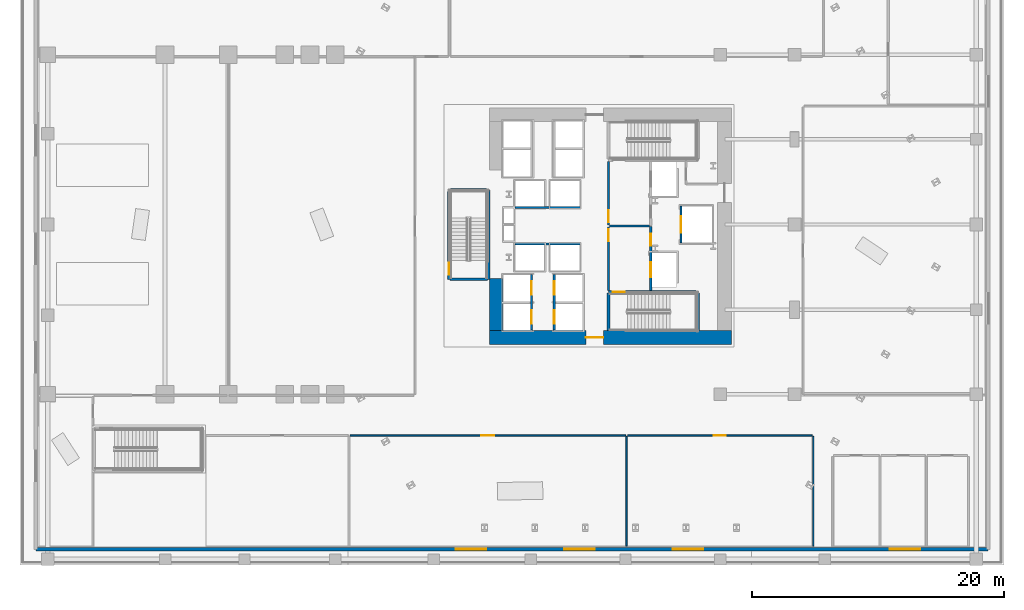
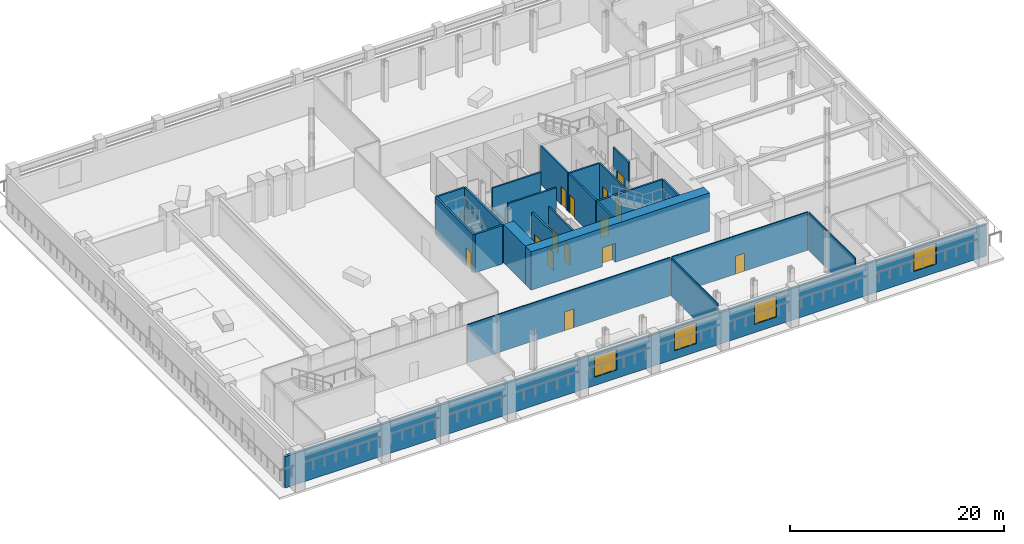
# One storey, part 4 of 18: 23 walls, 14 doors, 4 windows, 18 openings.
"""IFC4 building model written with IfcOpenShell, lengths in metres."""

from ifc_helpers import new_model, si_unit, direction, frame, frame_2d, origin, place, context, subcontext, project, spatial, rectangle, extrude, material, layer, layer_set, type_object, element, fill, save


model = new_model("IFC4")

# Units and contexts
model_context = context("Model", 3, precision=1e-05, world=origin(), true_north=direction((0.0, 1.0)))
body_context = subcontext(model_context, "Body", "Model", "MODEL_VIEW")
ifc_project = project(units=[si_unit("LENGTHUNIT", "METRE"), si_unit("AREAUNIT", "SQUARE_METRE"), si_unit("VOLUMEUNIT", "CUBIC_METRE"), si_unit("PLANEANGLEUNIT", "RADIAN"), si_unit("MASSUNIT", "GRAM", prefix="KILO")], contexts=[model_context])

# Site, building, storey
site_placement = place(None, origin())
site = spatial("IfcSite", under=ifc_project, at=site_placement, CompositionType="ELEMENT")
building_placement = place(site_placement, origin())
building = spatial("IfcBuilding", under=site, at=building_placement, Name="Valkerne Bourse Tower", CompositionType="ELEMENT")
storey_placement = place(building_placement, frame((0.0, 0.0, 10.199951171875)))
storey = spatial("IfcBuildingStorey", under=building, at=storey_placement, Name="L02", CompositionType="ELEMENT", Elevation=10.199951171875)

# Wall, opening, door
ifc_material_1 = material(Name="Concrete C70/85", Category="concrete")
ifc_layer_1 = layer(ifc_material_1, 1.10009765625)
ifc_layer_set_1 = layer_set([ifc_layer_1], Name="Concrete C70/85")
wall_type_1 = type_object("IfcWallType", Name="W-CORE-1100", PredefinedType="SHEAR", material=ifc_layer_set_1)
wall_1_placement = place(storey_placement, frame((37.199951171875, 18.050048828125, 0.0), z_axis=(0.0, 0.0, 1.0), x_axis=(1.0, 0.0, 0.0)))
wall_1 = element("IfcWall", 1, at=wall_1_placement, inside=storey, type_object=wall_type_1, Name="L02 Core Shear Wall SOUTH", PredefinedType="SHEAR", context=body_context, shape_type="SweptSolid", body=[
    extrude(rectangle(XDim=19.199951171875, YDim=1.10009765625, at=frame_2d((9.60009765625, 0.0))), origin(), (0.0, 0.0, 1.0), 4.360107421875),
])
opening_1_placement = place(wall_1_placement, frame((7.64990234375, 0.0, 0.0)))
opening_1 = element("IfcOpeningElement", 2, at=opening_1_placement, cuts=wall_1, Name="Opening D-PL-1400", PredefinedType="OPENING", context=body_context, shape_type="SweptSolid", body=[
    extrude(rectangle(XDim=1.39990234375, YDim=2.14990234375, at=frame_2d((0.699951171875, 1.074951171875))), frame((0.0, 0.56005859375, 0.0), z_axis=(0.0, -1.0, 0.0), x_axis=(1.0, 0.0, 0.0)), (0.0, 0.0, 1.0), 1.1201171875),
])
ifc_material_2 = material(Name="Galvanised Painted Steel", Category="steel")
door_type_1 = type_object("IfcDoorType", Name="DR-PLT-1400", OperationType="DOUBLE_DOOR_SINGLE_SWING", PredefinedType="DOOR", material=ifc_material_2)
door_1_placement = place(opening_1_placement, origin())
door_1 = element("IfcDoor", 3, at=door_1_placement, inside=storey, type_object=door_type_1, Name="L02 South Passenger Lift Hall Fire Door", OperationType="DOUBLE_DOOR_SINGLE_SWING", OverallHeight=2.14990234375, OverallWidth=1.39990234375, PredefinedType="DOOR", context=body_context, shape_type="SweptSolid", body=[
    extrude(rectangle(XDim=1.39990234375, YDim=2.14990234375, at=frame_2d((0.699951171875, 1.074951171875))), frame((0.0, 0.02490234375, 0.0), z_axis=(0.0, -1.0, 0.0), x_axis=(1.0, 0.0, 0.0)), (0.0, 0.0, 1.0), 0.050048828125),
])
fill(opening_1, door_1)

# Walls
wall_2_placement = place(storey_placement, frame((37.75, 18.60009765625, 0.0), z_axis=(0.0, 0.0, 1.0), x_axis=(0.0, 1.0, 0.0)))
element("IfcWall", 4, at=wall_2_placement, inside=storey, type_object=wall_type_1, Name="L02 Core Shear Wall WEST-S", PredefinedType="SHEAR", context=body_context, shape_type="SweptSolid", body=[
    extrude(rectangle(XDim=4.099853515625, YDim=1.10009765625, at=frame_2d((2.0498046875, 0.0))), origin(), (0.0, 0.0, 1.0), 4.360107421875),
])
ifc_material_3 = material(Name="Gypsum Board Steel-Stud Partition", Category="steel")
ifc_layer_2 = layer(ifc_material_3, 0.117919921875)
ifc_layer_set_2 = layer_set([ifc_layer_2], Name="Gypsum Board Steel-Stud Partition")
wall_type_2 = type_object("IfcWallType", Name="W-CORR-140", PredefinedType="PARTITIONING", material=ifc_layer_set_2)
wall_3_placement = place(storey_placement, frame((48.080078125, 1.5, 0.0), z_axis=(0.0, 0.0, 1.0), x_axis=(0.0, 1.0, 0.0)))
element("IfcWall", 5, at=wall_3_placement, inside=storey, type_object=wall_type_2, Name="L02 L02 Committee Conference Room Wall", PredefinedType="PARTITIONING", context=body_context, shape_type="SweptSolid", body=[
    extrude(rectangle(XDim=8.699951171875, YDim=0.117919921875, at=frame_2d((4.35009765625, 0.0))), origin(), (0.0, 0.0, 1.0), 4.360107421875),
])

# Wall, opening, door
wall_4_placement = place(storey_placement, frame((26.159912109375, 10.280029296875, 0.0), z_axis=(0.0, 0.0, 1.0), x_axis=(1.0, 0.0, 0.0)))
wall_4 = element("IfcWall", 6, at=wall_4_placement, inside=storey, type_object=wall_type_2, Name="L02 L02 Committee Conference Room Wall", PredefinedType="PARTITIONING", context=body_context, shape_type="SweptSolid", body=[
    extrude(rectangle(XDim=21.840087890625, YDim=0.117919921875, at=frame_2d((10.919921875, 0.0))), origin(), (0.0, 0.0, 1.0), 4.360107421875),
])
opening_2_placement = place(wall_4_placement, frame((10.419921875, 0.0, 0.0)))
opening_2 = element("IfcOpeningElement", 7, at=opening_2_placement, cuts=wall_4, Name="Opening D-MG-1000", PredefinedType="OPENING", context=body_context, shape_type="SweptSolid", body=[
    extrude(rectangle(XDim=1.0, YDim=2.14990234375, at=frame_2d((0.5, 1.074951171875))), frame((0.0, 0.06884765625, 0.0), z_axis=(0.0, -1.0, 0.0), x_axis=(1.0, 0.0, 0.0)), (0.0, 0.0, 1.0), 0.137939453125),
])
ifc_material_4 = material(Name="Laminated Tempered Safety Glass", Category="glass")
door_type_2 = type_object("IfcDoorType", Name="DR-MTG-1000", OperationType="NOTDEFINED", PredefinedType="DOOR", material=ifc_material_4)
door_2_placement = place(opening_2_placement, origin())
door_2 = element("IfcDoor", 8, at=door_2_placement, inside=storey, type_object=door_type_2, Name="L02 L02 Committee Conference Door", OperationType="SINGLE_SWING_LEFT", OverallHeight=2.14990234375, OverallWidth=1.0, PredefinedType="DOOR", context=body_context, shape_type="SweptSolid", body=[
    extrude(rectangle(XDim=1.0, YDim=2.14990234375, at=frame_2d((0.5, 1.074951171875))), frame((0.0, 0.02490234375, 0.0), z_axis=(0.0, -1.0, 0.0), x_axis=(1.0, 0.0, 0.0)), (0.0, 0.0, 1.0), 0.050048828125),
])
fill(opening_2, door_2)

# Wall
wall_5_placement = place(storey_placement, frame((62.8798828125, 1.5, 0.0), z_axis=(0.0, 0.0, 1.0), x_axis=(0.0, 1.0, 0.0)))
element("IfcWall", 9, at=wall_5_placement, inside=storey, type_object=wall_type_2, Name="L02 L02 Archive & Supplies Store Wall", PredefinedType="PARTITIONING", context=body_context, shape_type="SweptSolid", body=[
    extrude(rectangle(XDim=8.699951171875, YDim=0.117919921875, at=frame_2d((4.35009765625, 0.0))), origin(), (0.0, 0.0, 1.0), 4.360107421875),
])

# Wall, opening, door
wall_6_placement = place(storey_placement, frame((48.159912109375, 10.280029296875, 0.0), z_axis=(0.0, 0.0, 1.0), x_axis=(1.0, 0.0, 0.0)))
wall_6 = element("IfcWall", 10, at=wall_6_placement, inside=storey, type_object=wall_type_2, Name="L02 L02 Archive & Supplies Store Wall", PredefinedType="PARTITIONING", context=body_context, shape_type="SweptSolid", body=[
    extrude(rectangle(XDim=14.64013671875, YDim=0.117919921875, at=frame_2d((7.320068359375, 0.0))), origin(), (0.0, 0.0, 1.0), 4.360107421875),
])
opening_3_placement = place(wall_6_placement, frame((6.844970703125, 0.0, 0.0)))
opening_3 = element("IfcOpeningElement", 11, at=opening_3_placement, cuts=wall_6, Name="Opening D-SV-950", PredefinedType="OPENING", context=body_context, shape_type="SweptSolid", body=[
    extrude(rectangle(XDim=0.949951171875, YDim=2.050048828125, at=frame_2d((0.47509765625, 1.02490234375))), frame((0.0, 0.06884765625, 0.0), z_axis=(0.0, -1.0, 0.0), x_axis=(1.0, 0.0, 0.0)), (0.0, 0.0, 1.0), 0.137939453125),
])
door_type_3 = type_object("IfcDoorType", Name="DR-SRV-950", OperationType="NOTDEFINED", PredefinedType="DOOR", material=ifc_material_2)
door_3_placement = place(opening_3_placement, origin())
door_3 = element("IfcDoor", 12, at=door_3_placement, inside=storey, type_object=door_type_3, Name="L02 L02 Archive Store Door", OperationType="SINGLE_SWING_LEFT", OverallHeight=2.050048828125, OverallWidth=0.949951171875, PredefinedType="DOOR", context=body_context, shape_type="SweptSolid", body=[
    extrude(rectangle(XDim=0.949951171875, YDim=2.050048828125, at=frame_2d((0.47509765625, 1.02490234375))), frame((0.0, 0.02490234375, 0.0), z_axis=(0.0, -1.0, 0.0), x_axis=(1.0, 0.0, 0.0)), (0.0, 0.0, 1.0), 0.050048828125),
])
fill(opening_3, door_3)

# Wall, openings, windows
ifc_material_5 = material(Name="Bronze Anodised Aluminium AA 6063-T6", Category="aluminium")
ifc_layer_3 = layer(ifc_material_5, 0.300048828125)
ifc_layer_set_3 = layer_set([ifc_layer_3], Name="Bronze Anodised Aluminium AA 6063-T6")
wall_type_3 = type_object("IfcWallType", Name="W-EXT-ALUM-300", PredefinedType="STANDARD", material=ifc_layer_set_3)
wall_7_placement = place(storey_placement, frame((76.75, 1.25, 0.0), z_axis=(0.0, 0.0, 1.0), x_axis=(-1.0, 0.0, 0.0)))
wall_7 = element("IfcWall", 13, at=wall_7_placement, inside=storey, type_object=wall_type_3, Name="L02 Podium Exterior Wall SOUTH", PredefinedType="STANDARD", context=body_context, shape_type="SweptSolid", body=[
    extrude(rectangle(XDim=75.5, YDim=0.300048828125, at=frame_2d((37.75, 0.0))), origin(), (0.0, 0.0, 1.0), 3.569091796875),
])
opening_4_placement = place(wall_7_placement, frame((5.39990234375, 0.0, 0.949951171875)))
opening_4 = element("IfcOpeningElement", 14, at=opening_4_placement, cuts=wall_7, Name="Opening WN-02", PredefinedType="OPENING", context=body_context, shape_type="SweptSolid", body=[
    extrude(rectangle(XDim=2.39990234375, YDim=2.39990234375, at=frame_2d((1.199951171875, 1.199951171875))), frame((0.0, 0.159912109375, 0.0), z_axis=(0.0, -1.0, 0.0), x_axis=(1.0, 0.0, 0.0)), (0.0, 0.0, 1.0), 0.320068359375),
])
opening_5_placement = place(wall_7_placement, frame((22.60009765625, 0.0, 0.949951171875)))
opening_5 = element("IfcOpeningElement", 15, at=opening_5_placement, cuts=wall_7, Name="Opening WN-02", PredefinedType="OPENING", context=body_context, shape_type="SweptSolid", body=[
    extrude(rectangle(XDim=2.39990234375, YDim=2.39990234375, at=frame_2d((1.199951171875, 1.199951171875))), frame((0.0, 0.159912109375, 0.0), z_axis=(0.0, -1.0, 0.0), x_axis=(1.0, 0.0, 0.0)), (0.0, 0.0, 1.0), 0.320068359375),
])
opening_6_placement = place(wall_7_placement, frame((31.199951171875, 0.0, 0.949951171875)))
opening_6 = element("IfcOpeningElement", 16, at=opening_6_placement, cuts=wall_7, Name="Opening WN-02", PredefinedType="OPENING", context=body_context, shape_type="SweptSolid", body=[
    extrude(rectangle(XDim=2.39990234375, YDim=2.39990234375, at=frame_2d((1.199951171875, 1.199951171875))), frame((0.0, 0.159912109375, 0.0), z_axis=(0.0, -1.0, 0.0), x_axis=(1.0, 0.0, 0.0)), (0.0, 0.0, 1.0), 0.320068359375),
])
opening_7_placement = place(wall_7_placement, frame((39.800048828125, 0.0, 0.949951171875)))
opening_7 = element("IfcOpeningElement", 17, at=opening_7_placement, cuts=wall_7, Name="Opening WN-02", PredefinedType="OPENING", context=body_context, shape_type="SweptSolid", body=[
    extrude(rectangle(XDim=2.39990234375, YDim=2.39990234375, at=frame_2d((1.199951171875, 1.199951171875))), frame((0.0, 0.159912109375, 0.0), z_axis=(0.0, -1.0, 0.0), x_axis=(1.0, 0.0, 0.0)), (0.0, 0.0, 1.0), 0.320068359375),
])
ifc_material_6 = material(Name="Glass IGU Low-E Double Glazed", Category="glass")
window_type = type_object("IfcWindowType", Name="WIN-POD-2400X2400", PartitioningType="SINGLE_PANEL", PredefinedType="WINDOW", material=ifc_material_6)
window_1_placement = place(opening_4_placement, origin())
window_1 = element("IfcWindow", 18, at=window_1_placement, inside=storey, type_object=window_type, Name="L02 Podium Low-E Window 12", OverallHeight=2.39990234375, OverallWidth=2.39990234375, PartitioningType="SINGLE_PANEL", PredefinedType="WINDOW", context=body_context, shape_type="SweptSolid", body=[
    extrude(rectangle(XDim=2.39990234375, YDim=2.39990234375, at=frame_2d((1.199951171875, 1.199951171875))), frame((0.0, 0.030029296875, 0.0), z_axis=(0.0, -1.0, 0.0), x_axis=(1.0, 0.0, 0.0)), (0.0, 0.0, 1.0), 0.06005859375),
])
fill(opening_4, window_1)
window_2_placement = place(opening_5_placement, origin())
window_2 = element("IfcWindow", 19, at=window_2_placement, inside=storey, type_object=window_type, Name="L02 Podium Low-E Window 13", OverallHeight=2.39990234375, OverallWidth=2.39990234375, PartitioningType="SINGLE_PANEL", PredefinedType="WINDOW", context=body_context, shape_type="SweptSolid", body=[
    extrude(rectangle(XDim=2.39990234375, YDim=2.39990234375, at=frame_2d((1.199951171875, 1.199951171875))), frame((0.0, 0.030029296875, 0.0), z_axis=(0.0, -1.0, 0.0), x_axis=(1.0, 0.0, 0.0)), (0.0, 0.0, 1.0), 0.06005859375),
])
fill(opening_5, window_2)
window_3_placement = place(opening_6_placement, origin())
window_3 = element("IfcWindow", 20, at=window_3_placement, inside=storey, type_object=window_type, Name="L02 Podium Low-E Window 14", OverallHeight=2.39990234375, OverallWidth=2.39990234375, PartitioningType="SINGLE_PANEL", PredefinedType="WINDOW", context=body_context, shape_type="SweptSolid", body=[
    extrude(rectangle(XDim=2.39990234375, YDim=2.39990234375, at=frame_2d((1.199951171875, 1.199951171875))), frame((0.0, 0.030029296875, 0.0), z_axis=(0.0, -1.0, 0.0), x_axis=(1.0, 0.0, 0.0)), (0.0, 0.0, 1.0), 0.06005859375),
])
fill(opening_6, window_3)
window_4_placement = place(opening_7_placement, origin())
window_4 = element("IfcWindow", 21, at=window_4_placement, inside=storey, type_object=window_type, Name="L02 Podium Low-E Window 15", OverallHeight=2.39990234375, OverallWidth=2.39990234375, PartitioningType="SINGLE_PANEL", PredefinedType="WINDOW", context=body_context, shape_type="SweptSolid", body=[
    extrude(rectangle(XDim=2.39990234375, YDim=2.39990234375, at=frame_2d((1.199951171875, 1.199951171875))), frame((0.0, 0.030029296875, 0.0), z_axis=(0.0, -1.0, 0.0), x_axis=(1.0, 0.0, 0.0)), (0.0, 0.0, 1.0), 0.06005859375),
])
fill(opening_7, window_4)

# Wall
ifc_material_7 = material(Name="Gypsum Fire-Rated Shaftwall", Category="gypsum")
ifc_layer_4 = layer(ifc_material_7, 0.179931640625)
ifc_layer_set_4 = layer_set([ifc_layer_4], Name="Gypsum Fire-Rated Shaftwall")
wall_type_4 = type_object("IfcWallType", Name="W-FSAE-180", PredefinedType="PARTITIONING", material=ifc_layer_set_4)
wall_8_placement = place(storey_placement, frame((46.739990234375, 26.8798828125, 0.0), z_axis=(0.0, 0.0, 1.0), x_axis=(1.0, 0.0, 0.0)))
element("IfcWall", 22, at=wall_8_placement, inside=storey, type_object=wall_type_4, Name="L02 FSAE-1/2 Lobby Dividing Fire Wall", PredefinedType="PARTITIONING", context=body_context, shape_type="SweptSolid", body=[
    extrude(rectangle(XDim=3.169921875, YDim=0.179931640625, at=frame_2d((1.5849609375, 0.0))), origin(), (0.0, 0.0, 1.0), 4.360107421875),
])

# Wall, opening, door
wall_9_placement = place(storey_placement, frame((46.64990234375, 21.75, 0.0), z_axis=(0.0, 0.0, 1.0), x_axis=(0.0, 1.0, 0.0)))
wall_9 = element("IfcWall", 23, at=wall_9_placement, inside=storey, type_object=wall_type_4, Name="L02 FSAE-1 Lobby West Fire Wall", PredefinedType="PARTITIONING", context=body_context, shape_type="SweptSolid", body=[
    extrude(rectangle(XDim=5.050048828125, YDim=0.179931640625, at=frame_2d((2.52490234375, 0.0))), origin(), (0.0, 0.0, 1.0), 4.360107421875),
])
opening_8_placement = place(wall_9_placement, frame((3.919921875, 0.0, 0.0)))
opening_8 = element("IfcOpeningElement", 24, at=opening_8_placement, cuts=wall_9, Name="Opening D-FS-950", PredefinedType="OPENING", context=body_context, shape_type="SweptSolid", body=[
    extrude(rectangle(XDim=0.949951171875, YDim=2.10009765625, at=frame_2d((0.47509765625, 1.050048828125))), frame((0.0, 0.099853515625, 0.0), z_axis=(0.0, -1.0, 0.0), x_axis=(1.0, 0.0, 0.0)), (0.0, 0.0, 1.0), 0.199951171875),
])
door_type_4 = type_object("IfcDoorType", Name="DR-FSAE-950", OperationType="NOTDEFINED", PredefinedType="DOOR", material=ifc_material_2)
door_4_placement = place(opening_8_placement, origin())
door_4 = element("IfcDoor", 25, at=door_4_placement, inside=storey, type_object=door_type_4, Name="L02 FSAE-1 Hall Link Fire Door", OperationType="SINGLE_SWING_RIGHT", OverallHeight=2.10009765625, OverallWidth=0.949951171875, PredefinedType="DOOR", context=body_context, shape_type="SweptSolid", body=[
    extrude(rectangle(XDim=0.949951171875, YDim=2.10009765625, at=frame_2d((0.47509765625, 1.050048828125))), frame((0.0, 0.02490234375, 0.0), z_axis=(0.0, -1.0, 0.0), x_axis=(1.0, 0.0, 0.0)), (0.0, 0.0, 1.0), 0.050048828125),
])
fill(opening_8, door_4)

wall_10_placement = place(storey_placement, frame((46.64990234375, 26.9599609375, 0.0), z_axis=(0.0, 0.0, 1.0), x_axis=(0.0, 1.0, 0.0)))
wall_10 = element("IfcWall", 26, at=wall_10_placement, inside=storey, type_object=wall_type_4, Name="L02 FSAE-2 Lobby West Fire Wall", PredefinedType="PARTITIONING", context=body_context, shape_type="SweptSolid", body=[
    extrude(rectangle(XDim=5.0400390625, YDim=0.179931640625, at=frame_2d((2.52001953125, 0.0))), origin(), (0.0, 0.0, 1.0), 4.360107421875),
])
opening_9_placement = place(wall_10_placement, frame((0.219970703125, 0.0, 0.0)))
opening_9 = element("IfcOpeningElement", 27, at=opening_9_placement, cuts=wall_10, Name="Opening D-FS-950", PredefinedType="OPENING", context=body_context, shape_type="SweptSolid", body=[
    extrude(rectangle(XDim=0.949951171875, YDim=2.10009765625, at=frame_2d((0.47509765625, 1.050048828125))), frame((0.0, 0.099853515625, 0.0), z_axis=(0.0, -1.0, 0.0), x_axis=(1.0, 0.0, 0.0)), (0.0, 0.0, 1.0), 0.199951171875),
])
door_5_placement = place(opening_9_placement, origin())
door_5 = element("IfcDoor", 28, at=door_5_placement, inside=storey, type_object=door_type_4, Name="L02 FSAE-2 Hall Link Fire Door", OperationType="SINGLE_SWING_RIGHT", OverallHeight=2.10009765625, OverallWidth=0.949951171875, PredefinedType="DOOR", context=body_context, shape_type="SweptSolid", body=[
    extrude(rectangle(XDim=0.949951171875, YDim=2.10009765625, at=frame_2d((0.47509765625, 1.050048828125))), frame((0.0, 0.02490234375, 0.0), z_axis=(0.0, -1.0, 0.0), x_axis=(1.0, 0.0, 0.0)), (0.0, 0.0, 1.0), 0.050048828125),
])
fill(opening_9, door_5)

# Wall, openings, doors
wall_11_placement = place(storey_placement, frame((50.0, 21.75, 0.0), z_axis=(0.0, 0.0, 1.0), x_axis=(0.0, 1.0, 0.0)))
wall_11 = element("IfcWall", 29, at=wall_11_placement, inside=storey, type_object=wall_type_4, Name="L02 FSAE-1 Lobby & Shaft Front Wall", PredefinedType="PARTITIONING", context=body_context, shape_type="SweptSolid", body=[
    extrude(rectangle(XDim=5.090087890625, YDim=0.179931640625, at=frame_2d((2.544921875, 0.0))), origin(), (0.0, 0.0, 1.0), 4.360107421875),
])
opening_10_placement = place(wall_11_placement, frame((1.050048828125, 0.0, 0.0)))
opening_10 = element("IfcOpeningElement", 30, at=opening_10_placement, cuts=wall_11, Name="Opening LD-1200", PredefinedType="OPENING", context=body_context, shape_type="SweptSolid", body=[
    extrude(rectangle(XDim=1.199951171875, YDim=2.14990234375, at=frame_2d((0.60009765625, 1.074951171875))), frame((0.0, 0.099853515625, 0.0), z_axis=(0.0, -1.0, 0.0), x_axis=(1.0, 0.0, 0.0)), (0.0, 0.0, 1.0), 0.199951171875),
])
opening_11_placement = place(wall_11_placement, frame((3.550048828125, 0.0, 0.0)))
opening_11 = element("IfcOpeningElement", 31, at=opening_11_placement, cuts=wall_11, Name="Opening D-FS-950", PredefinedType="OPENING", context=body_context, shape_type="SweptSolid", body=[
    extrude(rectangle(XDim=0.949951171875, YDim=2.10009765625, at=frame_2d((0.47509765625, 1.050048828125))), frame((0.0, 0.099853515625, 0.0), z_axis=(0.0, -1.0, 0.0), x_axis=(1.0, 0.0, 0.0)), (0.0, 0.0, 1.0), 0.199951171875),
])
door_6_placement = place(opening_11_placement, origin())
door_6 = element("IfcDoor", 32, at=door_6_placement, inside=storey, type_object=door_type_4, Name="L02 FSAE-1 Lobby Corridor Fire Door", OperationType="SINGLE_SWING_RIGHT", OverallHeight=2.10009765625, OverallWidth=0.949951171875, PredefinedType="DOOR", context=body_context, shape_type="SweptSolid", body=[
    extrude(rectangle(XDim=0.949951171875, YDim=2.10009765625, at=frame_2d((0.47509765625, 1.050048828125))), frame((0.0, 0.02490234375, 0.0), z_axis=(0.0, -1.0, 0.0), x_axis=(1.0, 0.0, 0.0)), (0.0, 0.0, 1.0), 0.050048828125),
])
fill(opening_11, door_6)
ifc_material_8 = material(Name="Stainless Steel AISI 316", Category="steel")
door_type_5 = type_object("IfcDoorType", Name="DR-LIFT-1200", OperationType="DOUBLE_DOOR_SLIDING", PredefinedType="DOOR", material=ifc_material_8)
door_7_placement = place(opening_10_placement, origin())
door_7 = element("IfcDoor", 33, at=door_7_placement, inside=storey, type_object=door_type_5, Name="L02 FSAE-1 Firefighting Lift Landing Door", OperationType="DOUBLE_DOOR_SLIDING", OverallHeight=2.14990234375, OverallWidth=1.199951171875, PredefinedType="DOOR", context=body_context, shape_type="SweptSolid", body=[
    extrude(rectangle(XDim=1.199951171875, YDim=2.14990234375, at=frame_2d((0.60009765625, 1.074951171875))), frame((0.0, 0.02490234375, 0.0), z_axis=(0.0, -1.0, 0.0), x_axis=(1.0, 0.0, 0.0)), (0.0, 0.0, 1.0), 0.050048828125),
])
fill(opening_10, door_7)

# Wall, opening, door
ifc_material_9 = material(Name="CMU Blockwork Masonry 200mm", Category="masonry")
ifc_layer_5 = layer(ifc_material_9, 0.179931640625)
ifc_layer_set_5 = layer_set([ifc_layer_5], Name="CMU Blockwork Masonry 200mm")
wall_type_5 = type_object("IfcWallType", Name="W-LFT-180", PredefinedType="SOLIDWALL", material=ifc_layer_set_5)
wall_12_placement = place(storey_placement, frame((52.39990234375, 25.550048828125, 0.0), z_axis=(0.0, 0.0, 1.0), x_axis=(0.0, 1.0, 0.0)))
wall_12 = element("IfcWall", 34, at=wall_12_placement, inside=storey, type_object=wall_type_5, Name="L02 Service Lift SV-1 Front Wall", PredefinedType="SOLIDWALL", context=body_context, shape_type="SweptSolid", body=[
    extrude(rectangle(XDim=2.89990234375, YDim=0.179931640625, at=frame_2d((1.449951171875, 0.0))), origin(), (0.0, 0.0, 1.0), 4.360107421875),
])
opening_12_placement = place(wall_12_placement, frame((0.800048828125, 0.0, 0.0)))
opening_12 = element("IfcOpeningElement", 35, at=opening_12_placement, cuts=wall_12, Name="Opening LD-1300", PredefinedType="OPENING", context=body_context, shape_type="SweptSolid", body=[
    extrude(rectangle(XDim=1.300048828125, YDim=2.14990234375, at=frame_2d((0.64990234375, 1.074951171875))), frame((0.0, 0.099853515625, 0.0), z_axis=(0.0, -1.0, 0.0), x_axis=(1.0, 0.0, 0.0)), (0.0, 0.0, 1.0), 0.199951171875),
])
door_type_6 = type_object("IfcDoorType", Name="DR-LIFT-1300", OperationType="DOUBLE_DOOR_SLIDING", PredefinedType="DOOR", material=ifc_material_8)
door_8_placement = place(opening_12_placement, origin())
door_8 = element("IfcDoor", 36, at=door_8_placement, inside=storey, type_object=door_type_6, Name="L02 Service Lift SV-1 Landing Door", OperationType="DOUBLE_DOOR_SLIDING", OverallHeight=2.14990234375, OverallWidth=1.300048828125, PredefinedType="DOOR", context=body_context, shape_type="SweptSolid", body=[
    extrude(rectangle(XDim=1.300048828125, YDim=2.14990234375, at=frame_2d((0.64990234375, 1.074951171875))), frame((0.0, 0.02490234375, 0.0), z_axis=(0.0, -1.0, 0.0), x_axis=(1.0, 0.0, 0.0)), (0.0, 0.0, 1.0), 0.050048828125),
])
fill(opening_12, door_8)

# Wall, openings, doors
wall_13_placement = place(storey_placement, frame((40.550048828125, 18.6201171875, 0.0), z_axis=(0.0, 0.0, 1.0), x_axis=(0.0, 1.0, 0.0)))
wall_13 = element("IfcWall", 37, at=wall_13_placement, inside=storey, type_object=wall_type_5, Name="L02 Low-Zone West Cars Front Wall", PredefinedType="SOLIDWALL", context=body_context, shape_type="SweptSolid", body=[
    extrude(rectangle(XDim=4.429931640625, YDim=0.179931640625, at=frame_2d((2.21484375, 0.0))), origin(), (0.0, 0.0, 1.0), 4.360107421875),
])
opening_13_placement = place(wall_13_placement, frame((0.5, 0.0, 0.0)))
opening_13 = element("IfcOpeningElement", 38, at=opening_13_placement, cuts=wall_13, Name="Opening LD-1100", PredefinedType="OPENING", context=body_context, shape_type="SweptSolid", body=[
    extrude(rectangle(XDim=1.10009765625, YDim=2.14990234375, at=frame_2d((0.550048828125, 1.074951171875))), frame((0.0, 0.099853515625, 0.0), z_axis=(0.0, -1.0, 0.0), x_axis=(1.0, 0.0, 0.0)), (0.0, 0.0, 1.0), 0.199951171875),
])
opening_14_placement = place(wall_13_placement, frame((2.800048828125, 0.0, 0.0)))
opening_14 = element("IfcOpeningElement", 39, at=opening_14_placement, cuts=wall_13, Name="Opening LD-1100", PredefinedType="OPENING", context=body_context, shape_type="SweptSolid", body=[
    extrude(rectangle(XDim=1.10009765625, YDim=2.14990234375, at=frame_2d((0.550048828125, 1.074951171875))), frame((0.0, 0.099853515625, 0.0), z_axis=(0.0, -1.0, 0.0), x_axis=(1.0, 0.0, 0.0)), (0.0, 0.0, 1.0), 0.199951171875),
])
door_type_7 = type_object("IfcDoorType", Name="DR-LIFT-1100", OperationType="DOUBLE_DOOR_SLIDING", PredefinedType="DOOR", material=ifc_material_8)
door_9_placement = place(opening_13_placement, origin())
door_9 = element("IfcDoor", 40, at=door_9_placement, inside=storey, type_object=door_type_7, Name="L02 Passenger Lift PL-L1 Sliding Landing Door", OperationType="DOUBLE_DOOR_SLIDING", OverallHeight=2.14990234375, OverallWidth=1.10009765625, PredefinedType="DOOR", context=body_context, shape_type="SweptSolid", body=[
    extrude(rectangle(XDim=1.10009765625, YDim=2.14990234375, at=frame_2d((0.550048828125, 1.074951171875))), frame((0.0, 0.02490234375, 0.0), z_axis=(0.0, -1.0, 0.0), x_axis=(1.0, 0.0, 0.0)), (0.0, 0.0, 1.0), 0.050048828125),
])
fill(opening_13, door_9)
door_10_placement = place(opening_14_placement, origin())
door_10 = element("IfcDoor", 41, at=door_10_placement, inside=storey, type_object=door_type_7, Name="L02 Passenger Lift PL-L2 Sliding Landing Door", OperationType="DOUBLE_DOOR_SLIDING", OverallHeight=2.14990234375, OverallWidth=1.10009765625, PredefinedType="DOOR", context=body_context, shape_type="SweptSolid", body=[
    extrude(rectangle(XDim=1.10009765625, YDim=2.14990234375, at=frame_2d((0.550048828125, 1.074951171875))), frame((0.0, 0.02490234375, 0.0), z_axis=(0.0, -1.0, 0.0), x_axis=(1.0, 0.0, 0.0)), (0.0, 0.0, 1.0), 0.050048828125),
])
fill(opening_14, door_10)

wall_14_placement = place(storey_placement, frame((42.35009765625, 18.6201171875, 0.0), z_axis=(0.0, 0.0, 1.0), x_axis=(0.0, 1.0, 0.0)))
wall_14 = element("IfcWall", 42, at=wall_14_placement, inside=storey, type_object=wall_type_5, Name="L02 Low-Zone East Cars Front Wall", PredefinedType="SOLIDWALL", context=body_context, shape_type="SweptSolid", body=[
    extrude(rectangle(XDim=4.429931640625, YDim=0.179931640625, at=frame_2d((2.21484375, 0.0))), origin(), (0.0, 0.0, 1.0), 4.360107421875),
])
opening_15_placement = place(wall_14_placement, frame((0.5, 0.0, 0.0)))
opening_15 = element("IfcOpeningElement", 43, at=opening_15_placement, cuts=wall_14, Name="Opening LD-1100", PredefinedType="OPENING", context=body_context, shape_type="SweptSolid", body=[
    extrude(rectangle(XDim=1.10009765625, YDim=2.14990234375, at=frame_2d((0.550048828125, 1.074951171875))), frame((0.0, 0.099853515625, 0.0), z_axis=(0.0, -1.0, 0.0), x_axis=(1.0, 0.0, 0.0)), (0.0, 0.0, 1.0), 0.199951171875),
])
opening_16_placement = place(wall_14_placement, frame((2.800048828125, 0.0, 0.0)))
opening_16 = element("IfcOpeningElement", 44, at=opening_16_placement, cuts=wall_14, Name="Opening LD-1100", PredefinedType="OPENING", context=body_context, shape_type="SweptSolid", body=[
    extrude(rectangle(XDim=1.10009765625, YDim=2.14990234375, at=frame_2d((0.550048828125, 1.074951171875))), frame((0.0, 0.099853515625, 0.0), z_axis=(0.0, -1.0, 0.0), x_axis=(1.0, 0.0, 0.0)), (0.0, 0.0, 1.0), 0.199951171875),
])
door_11_placement = place(opening_15_placement, origin())
door_11 = element("IfcDoor", 45, at=door_11_placement, inside=storey, type_object=door_type_7, Name="L02 Passenger Lift PL-L3 Sliding Landing Door", OperationType="DOUBLE_DOOR_SLIDING", OverallHeight=2.14990234375, OverallWidth=1.10009765625, PredefinedType="DOOR", context=body_context, shape_type="SweptSolid", body=[
    extrude(rectangle(XDim=1.10009765625, YDim=2.14990234375, at=frame_2d((0.550048828125, 1.074951171875))), frame((0.0, 0.02490234375, 0.0), z_axis=(0.0, -1.0, 0.0), x_axis=(1.0, 0.0, 0.0)), (0.0, 0.0, 1.0), 0.050048828125),
])
fill(opening_15, door_11)
door_12_placement = place(opening_16_placement, origin())
door_12 = element("IfcDoor", 46, at=door_12_placement, inside=storey, type_object=door_type_7, Name="L02 Passenger Lift PL-L4 Sliding Landing Door", OperationType="DOUBLE_DOOR_SLIDING", OverallHeight=2.14990234375, OverallWidth=1.10009765625, PredefinedType="DOOR", context=body_context, shape_type="SweptSolid", body=[
    extrude(rectangle(XDim=1.10009765625, YDim=2.14990234375, at=frame_2d((0.550048828125, 1.074951171875))), frame((0.0, 0.02490234375, 0.0), z_axis=(0.0, -1.0, 0.0), x_axis=(1.0, 0.0, 0.0)), (0.0, 0.0, 1.0), 0.050048828125),
])
fill(opening_16, door_12)

# Walls
for number, where, z_axis, x_axis, name in (
    (47, (39.25, 25.449951171875, 0.0), (0.0, 0.0, 1.0), (1.0, 0.0, 0.0), "L02 High-Zone South Cars Front Wall"),
    (48, (39.25, 28.35009765625, 0.0), (0.0, 0.0, 1.0), (1.0, 0.0, 0.0), "L02 High-Zone North Cars Front Wall"),
):
    element("IfcWall", number, at=place(storey_placement, frame(where, z_axis=z_axis, x_axis=x_axis)), inside=storey, type_object=wall_type_5, Name=name, PredefinedType="SOLIDWALL", context=body_context, shape_type="SweptSolid", body=[
        extrude(rectangle(XDim=5.199951171875, YDim=0.179931640625, at=frame_2d((2.60009765625, 0.0))), origin(), (0.0, 0.0, 1.0), 4.360107421875),
    ])

# Wall, opening, door
ifc_material_10 = material(Name="Concrete C40/50", Category="concrete")
ifc_layer_6 = layer(ifc_material_10, 0.199951171875)
ifc_layer_set_6 = layer_set([ifc_layer_6], Name="Concrete C40/50")
wall_type_6 = type_object("IfcWallType", Name="W-SHF-200", PredefinedType="SHEAR", material=ifc_layer_set_6)
wall_15_placement = place(storey_placement, frame((46.64990234375, 21.64990234375, 0.0), z_axis=(0.0, 0.0, 1.0), x_axis=(1.0, 0.0, 0.0)))
wall_15 = element("IfcWall", 49, at=wall_15_placement, inside=storey, type_object=wall_type_6, Name="L02 Exit Stair ST-1 Structural Shaft Wall North", PredefinedType="SHEAR", context=body_context, shape_type="SweptSolid", body=[
    extrude(rectangle(XDim=7.10009765625, YDim=0.199951171875, at=frame_2d((3.550048828125, 0.0))), origin(), (0.0, 0.0, 1.0), 4.360107421875),
])
opening_17_placement = place(wall_15_placement, frame((0.35009765625, 0.0, 0.0)))
opening_17 = element("IfcOpeningElement", 50, at=opening_17_placement, cuts=wall_15, Name="Opening D-ST-950", PredefinedType="OPENING", context=body_context, shape_type="SweptSolid", body=[
    extrude(rectangle(XDim=0.949951171875, YDim=2.10009765625, at=frame_2d((0.47509765625, 1.050048828125))), frame((0.0, 0.10986328125, 0.0), z_axis=(0.0, -1.0, 0.0), x_axis=(1.0, 0.0, 0.0)), (0.0, 0.0, 1.0), 0.219970703125),
])
door_type_8 = type_object("IfcDoorType", Name="DR-STAIR-950", OperationType="NOTDEFINED", PredefinedType="DOOR", material=ifc_material_2)
door_13_placement = place(opening_17_placement, origin())
door_13 = element("IfcDoor", 51, at=door_13_placement, inside=storey, type_object=door_type_8, Name="L02 Exit Stair ST-1 Door", OperationType="SINGLE_SWING_LEFT", OverallHeight=2.10009765625, OverallWidth=0.949951171875, PredefinedType="DOOR", context=body_context, shape_type="SweptSolid", body=[
    extrude(rectangle(XDim=0.949951171875, YDim=2.10009765625, at=frame_2d((0.47509765625, 1.050048828125))), frame((0.0, 0.02490234375, 0.0), z_axis=(0.0, -1.0, 0.0), x_axis=(1.0, 0.0, 0.0)), (0.0, 0.0, 1.0), 0.050048828125),
])
fill(opening_17, door_13)

# Walls
for number, where, z_axis, x_axis, name in (
    (52, (46.64990234375, 18.60009765625, 0.0), (0.0, 0.0, 1.0), (0.0, 1.0, 0.0), "L02 Exit Stair ST-1 Structural Shaft Wall West"),
    (53, (53.75, 18.60009765625, 0.0), (0.0, 0.0, 1.0), (0.0, 1.0, 0.0), "L02 Exit Stair ST-1 Structural Shaft Wall East"),
):
    element("IfcWall", number, at=place(storey_placement, frame(where, z_axis=z_axis, x_axis=x_axis)), inside=storey, type_object=wall_type_6, Name=name, PredefinedType="SHEAR", context=body_context, shape_type="SweptSolid", body=[
        extrude(rectangle(XDim=2.949951171875, YDim=0.199951171875, at=frame_2d((1.47509765625, 0.0))), origin(), (0.0, 0.0, 1.0), 4.360107421875),
    ])

# Wall, opening, door
wall_16_placement = place(storey_placement, frame((34.0, 22.64990234375, 0.0), z_axis=(0.0, 0.0, 1.0), x_axis=(0.0, 1.0, 0.0)))
wall_16 = element("IfcWall", 54, at=wall_16_placement, inside=storey, type_object=wall_type_6, Name="L02 Exit Stair ST-3 Structural Shaft Wall West", PredefinedType="SHEAR", context=body_context, shape_type="SweptSolid", body=[
    extrude(rectangle(XDim=7.10009765625, YDim=0.199951171875, at=frame_2d((3.550048828125, 0.0))), origin(), (0.0, 0.0, 1.0), 4.360107421875),
])
opening_18_placement = place(wall_16_placement, frame((0.35009765625, 0.0, 0.0)))
opening_18 = element("IfcOpeningElement", 55, at=opening_18_placement, cuts=wall_16, Name="Opening D-ST-950", PredefinedType="OPENING", context=body_context, shape_type="SweptSolid", body=[
    extrude(rectangle(XDim=0.949951171875, YDim=2.10009765625, at=frame_2d((0.47509765625, 1.050048828125))), frame((0.0, 0.10986328125, 0.0), z_axis=(0.0, -1.0, 0.0), x_axis=(1.0, 0.0, 0.0)), (0.0, 0.0, 1.0), 0.219970703125),
])
door_14_placement = place(opening_18_placement, origin())
door_14 = element("IfcDoor", 56, at=door_14_placement, inside=storey, type_object=door_type_8, Name="L02 Exit Stair ST-3 Door", OperationType="SINGLE_SWING_LEFT", OverallHeight=2.10009765625, OverallWidth=0.949951171875, PredefinedType="DOOR", context=body_context, shape_type="SweptSolid", body=[
    extrude(rectangle(XDim=0.949951171875, YDim=2.10009765625, at=frame_2d((0.47509765625, 1.050048828125))), frame((0.0, 0.02490234375, 0.0), z_axis=(0.0, -1.0, 0.0), x_axis=(1.0, 0.0, 0.0)), (0.0, 0.0, 1.0), 0.050048828125),
])
fill(opening_18, door_14)

# Walls
for number, where, z_axis, x_axis, name in (
    (57, (34.10009765625, 22.64990234375, 0.0), (0.0, 0.0, 1.0), (1.0, 0.0, 0.0), "L02 Exit Stair ST-3 Structural Shaft Wall South"),
    (58, (34.10009765625, 29.75, 0.0), (0.0, 0.0, 1.0), (1.0, 0.0, 0.0), "L02 Exit Stair ST-3 Structural Shaft Wall North"),
):
    element("IfcWall", number, at=place(storey_placement, frame(where, z_axis=z_axis, x_axis=x_axis)), inside=storey, type_object=wall_type_6, Name=name, PredefinedType="SHEAR", context=body_context, shape_type="SweptSolid", body=[
        extrude(rectangle(XDim=2.949951171875, YDim=0.199951171875, at=frame_2d((1.47509765625, 0.0))), origin(), (0.0, 0.0, 1.0), 4.360107421875),
    ])
wall_17_placement = place(storey_placement, frame((37.14990234375, 22.64990234375, 0.0), z_axis=(0.0, 0.0, 1.0), x_axis=(0.0, 1.0, 0.0)))
element("IfcWall", 59, at=wall_17_placement, inside=storey, type_object=wall_type_6, Name="L02 Exit Stair ST-3 Structural Shaft Wall East", PredefinedType="SHEAR", context=body_context, shape_type="SweptSolid", body=[
    extrude(rectangle(XDim=7.10009765625, YDim=0.199951171875, at=frame_2d((3.550048828125, 0.0))), origin(), (0.0, 0.0, 1.0), 4.360107421875),
])

save(model, "model.ifc")
